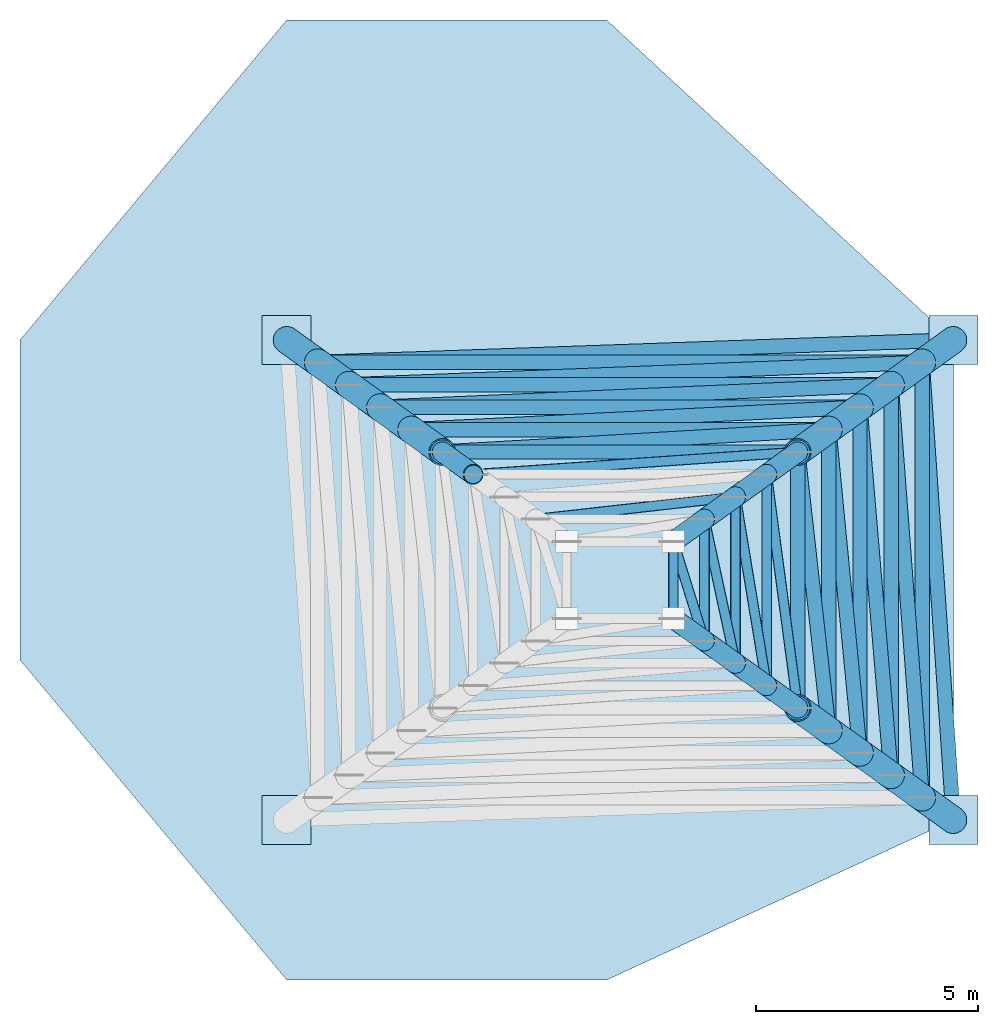
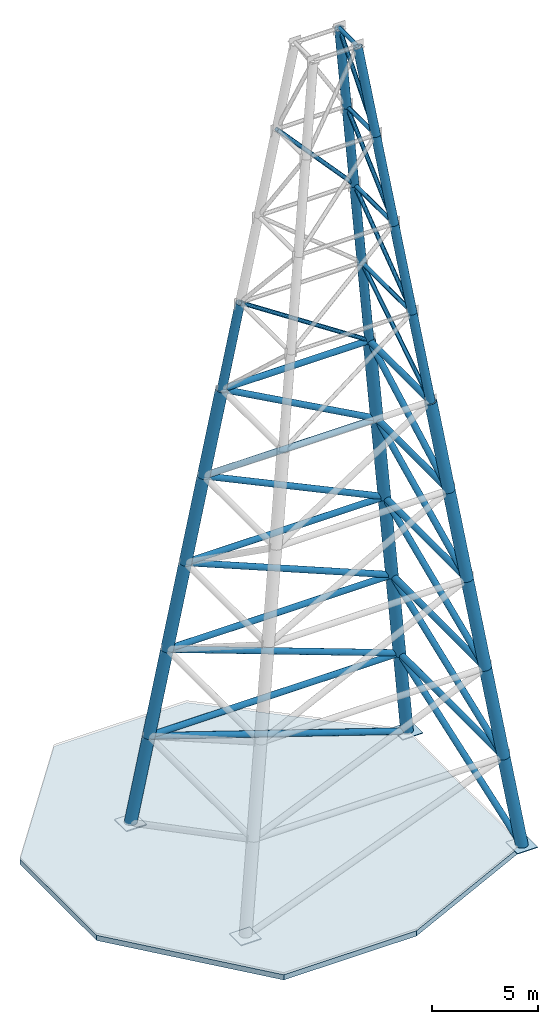
# One storey, part 2 of 3: 54 members, 4 plates, 1 slab.
"""IFC4 building model written with IfcOpenShell, lengths in metres."""

import ifcopenshell
import ifcopenshell.guid

model = None  # the IFC model being written
_history = None  # IfcOwnerHistory: only IFC2X3 demands one
_inside = {}  # id of a spatial element -> (the spatial element, [elements in it])
_under = {}  # id of a project, library or spatial element -> (it, [spatial elements below it])
_declared = {}  # id of a project -> (the project, [libraries it declares])
_typed = {}  # id of a type object -> (the type object, [elements of that type])
_made_of = {}  # id of a material, layer set ... -> (it, [elements and type objects made of it])


def new_model(schema):
    """Start an empty IFC model of exactly this schema.

    Asked for "IFC4X3", IfcOpenShell would pick the latest addendum, in which some entities
    have other attributes; the version numbers below select the first issue.
    IFC2X3 requires an IfcOwnerHistory on every rooted entity: one is made here for all.
    """
    global model, _history
    if schema == "IFC4X3":
        model = ifcopenshell.file(schema_version=(4, 3, 0, 0))
    else:
        model = ifcopenshell.file(schema=schema)
    _inside.clear()
    _under.clear()
    _declared.clear()
    _typed.clear()
    _made_of.clear()
    _history = None
    if model.schema == "IFC2X3":
        org = make("IfcOrganization", Name="unknown")
        user = make(
            "IfcPersonAndOrganization",
            ThePerson=make("IfcPerson", FamilyName="unknown"),
            TheOrganization=org,
        )
        app = make(
            "IfcApplication",
            ApplicationDeveloper=org,
            Version="unknown",
            ApplicationFullName="unknown",
            ApplicationIdentifier="unknown",
        )
        _history = make(
            "IfcOwnerHistory",
            OwningUser=user,
            OwningApplication=app,
            ChangeAction="ADDED",
            CreationDate=0,
        )
    return model


def make(cls, **values):
    """One entity of the class cls with the attributes given. An attribute that is None is left unset."""
    return model.create_entity(
        cls, **{name: value for name, value in values.items() if value is not None}
    )


def rooted(cls, **values):
    """An entity with a GlobalId (a new one), such as an element, a storey or a relation."""
    return make(cls, GlobalId=ifcopenshell.guid.new(), OwnerHistory=_history, **values)


def si_unit(unit_type, name, prefix=None):
    """IfcSIUnit, for example si_unit("LENGTHUNIT", "METRE", prefix="MILLI")."""
    return make("IfcSIUnit", UnitType=unit_type, Prefix=prefix, Name=name)


def derived_unit(unit_type, elements):
    """IfcDerivedUnit: a product of units, each with its exponent."""
    return make(
        "IfcDerivedUnit",
        Elements=[
            make("IfcDerivedUnitElement", Unit=unit, Exponent=power)
            for unit, power in elements
        ],
        UnitType=unit_type,
    )


def assignment(units):
    """IfcUnitAssignment: the units of a project."""
    return None if units is None else make("IfcUnitAssignment", Units=units)


def point(xyz):
    """IfcCartesianPoint."""
    return None if xyz is None else make("IfcCartesianPoint", Coordinates=xyz)


def direction(xyz):
    """IfcDirection."""
    return None if xyz is None else make("IfcDirection", DirectionRatios=xyz)


def frame(location, z_axis=None, x_axis=None):
    """IfcAxis2Placement3D, a coordinate frame: its origin and axes. An axis left out is left unset."""
    return make(
        "IfcAxis2Placement3D",
        Location=point(location),
        Axis=direction(z_axis),
        RefDirection=direction(x_axis),
    )


def frame_2d(location, x_axis=None):
    """IfcAxis2Placement2D, a coordinate frame in the plane: its origin and x axis."""
    return make(
        "IfcAxis2Placement2D", Location=point(location), RefDirection=direction(x_axis)
    )


def origin():
    """The frame at (0, 0, 0) with its axes left unset."""
    return frame((0.0, 0.0, 0.0))


def origin_2d():
    """The frame at (0, 0) in the plane with its x axis left unset."""
    return frame_2d((0.0, 0.0))


def place(relative_to, where):
    """IfcLocalPlacement: puts the frame where relative to a parent placement (None: the world)."""
    return make(
        "IfcLocalPlacement", PlacementRelTo=relative_to, RelativePlacement=where
    )


def context(
    kind, dimensions, precision=None, world=None, true_north=None, identifier=None
):
    """IfcGeometricRepresentationContext, for example the 3D "Model" context."""
    return make(
        "IfcGeometricRepresentationContext",
        ContextIdentifier=identifier,
        ContextType=kind,
        CoordinateSpaceDimension=dimensions,
        Precision=precision,
        WorldCoordinateSystem=world,
        TrueNorth=true_north,
    )


def subcontext(parent, identifier, kind, view, scale=None):
    """IfcGeometricRepresentationSubContext, for example "Body" below "Model"."""
    return make(
        "IfcGeometricRepresentationSubContext",
        ContextIdentifier=identifier,
        ContextType=kind,
        ParentContext=parent,
        TargetScale=scale,
        TargetView=view,
    )


def project(units=None, contexts=None):
    """IfcProject with its units and contexts."""
    return rooted(
        "IfcProject",
        Name="project",
        RepresentationContexts=contexts,
        UnitsInContext=assignment(units),
    )


def spatial(cls, under=None, at=None, **own):
    """A site, building, storey or space (cls), placed at a placement, below another one or the project."""
    s = rooted(cls, ObjectPlacement=at, **own)
    if under is not None:
        _under.setdefault(under.id(), (under, []))[1].append(s)
    return s


def polyline(points):
    """IfcPolyline through the points."""
    return make("IfcPolyline", Points=[point(p) for p in points])


def profile(cls, at=None, kind="AREA", **sizes):
    """A parametric profile (cls). Its sizes go by their IFC names, for example OverallWidth=200.0."""
    return make(cls, ProfileType=kind, Position=at, **sizes)


def rectangle(**sizes):
    """IfcRectangleProfileDef."""
    return profile("IfcRectangleProfileDef", **sizes)


def hollow_circle(**sizes):
    """IfcCircleHollowProfileDef."""
    return profile("IfcCircleHollowProfileDef", **sizes)


def outline(outer, holes=None, kind="AREA"):
    """IfcArbitraryClosedProfileDef: a profile drawn as a closed curve; with holes, ...WithVoids."""
    if holes is None:
        return make("IfcArbitraryClosedProfileDef", ProfileType=kind, OuterCurve=outer)
    return make(
        "IfcArbitraryProfileDefWithVoids",
        ProfileType=kind,
        OuterCurve=outer,
        InnerCurves=holes,
    )


def extrude(swept, where, along, depth):
    """IfcExtrudedAreaSolid: the profile swept, set in the frame where, extruded along a direction by depth."""
    return make(
        "IfcExtrudedAreaSolid",
        SweptArea=swept,
        Position=where,
        ExtrudedDirection=direction(along),
        Depth=depth,
    )


def shape(context_of_items, identifier, shape_type, items):
    """IfcShapeRepresentation: the items that make up one representation, for example the "Body"."""
    return make(
        "IfcShapeRepresentation",
        ContextOfItems=context_of_items,
        RepresentationIdentifier=identifier,
        RepresentationType=shape_type,
        Items=items,
    )


def source(mapping_origin, context_of_items, identifier, shape_type, items):
    """IfcRepresentationMap: a shape defined once, which mapped items show again and again."""
    return make(
        "IfcRepresentationMap",
        MappingOrigin=mapping_origin,
        MappedRepresentation=shape(context_of_items, identifier, shape_type, items),
    )


def transform(
    local_origin,
    x_axis=None,
    y_axis=None,
    z_axis=None,
    scale=None,
    scale2=None,
    scale3=None,
    uniform=True,
):
    """IfcCartesianTransformationOperator3D, or its non-uniform kind. x_axis, y_axis, z_axis: its Axis1, 2, 3."""
    if uniform:
        return make(
            "IfcCartesianTransformationOperator3D",
            Axis1=direction(x_axis),
            Axis2=direction(y_axis),
            LocalOrigin=point(local_origin),
            Scale=scale,
            Axis3=direction(z_axis),
        )
    return make(
        "IfcCartesianTransformationOperator3DnonUniform",
        Axis1=direction(x_axis),
        Axis2=direction(y_axis),
        LocalOrigin=point(local_origin),
        Scale=scale,
        Axis3=direction(z_axis),
        Scale2=scale2,
        Scale3=scale3,
    )


def mapped(mapping_source, mapping_target):
    """IfcMappedItem: shows the shape of a source again, moved by a transform."""
    return make(
        "IfcMappedItem", MappingSource=mapping_source, MappingTarget=mapping_target
    )


def material(Name=None, Category=None):
    """IfcMaterial."""
    return make("IfcMaterial", Name=Name, Category=Category)


def layer(
    of_material, thickness, ventilated=None, Name=None, Category=None, Priority=None
):
    """IfcMaterialLayer: one layer of a wall or slab, of a material (None: an air gap)."""
    return make(
        "IfcMaterialLayer",
        Material=of_material,
        LayerThickness=thickness,
        IsVentilated=ventilated,
        Name=Name,
        Category=Category,
        Priority=Priority,
    )


def layer_set(layers, Name=None):
    """IfcMaterialLayerSet."""
    return make("IfcMaterialLayerSet", MaterialLayers=layers, LayerSetName=Name)


def material_profile(
    of_material, cross_section, Name=None, Category=None, Priority=None
):
    """IfcMaterialProfile: a cross section and its material."""
    return make(
        "IfcMaterialProfile",
        Name=Name,
        Material=of_material,
        Profile=cross_section,
        Priority=Priority,
        Category=Category,
    )


def profile_set(profiles, Name=None, composite=None):
    """IfcMaterialProfileSet."""
    return make(
        "IfcMaterialProfileSet",
        Name=Name,
        MaterialProfiles=profiles,
        CompositeProfile=composite,
    )


def made_of(thing, what):
    """Note that an element or type object is made of a material, layer set ...; save() writes the relation."""
    if what is not None:
        _made_of.setdefault(what.id(), (what, []))[1].append(thing)
    return thing


def type_object(cls, material=None, **own):
    """A type object (cls), such as IfcWallType, which elements share."""
    return made_of(rooted(cls, **own), material)


def type_shapes(of_type, sources):
    """Give a type object the sources (RepresentationMaps) that its elements show as mapped items."""
    of_type.RepresentationMaps = sources


def element(
    cls,
    number,
    at=None,
    inside=None,
    cuts=None,
    type_object=None,
    material=None,
    context=None,
    identifier="Body",
    shape_type=None,
    held_by="IfcProductDefinitionShape",
    body=None,
    shapes=None,
    **own,
):
    """One element of the class cls, such as IfcWall. Its Tag is "e" and its number.

    at: its placement. inside: the storey or other place that contains it. cuts: it is an
    opening in that element (IfcRelVoidsElement). A single representation is given by context,
    identifier, shape_type and body (its items); several are given by shapes. held_by: the class
    of the entity that holds the representations. save() writes the other relations.
    """
    e = rooted(cls, Tag="e%d" % number, ObjectPlacement=at, **own)
    if body is not None:
        shapes = [shape(context, identifier, shape_type, body)]
    if shapes is not None:
        e.Representation = make(held_by, Representations=shapes)
    if inside is not None:
        _inside.setdefault(inside.id(), (inside, []))[1].append(e)
    if cuts is not None:
        rooted(
            "IfcRelVoidsElement", RelatingBuildingElement=cuts, RelatedOpeningElement=e
        )
    if type_object is not None:
        _typed.setdefault(type_object.id(), (type_object, []))[1].append(e)
    return made_of(e, material)


def aggregate(whole, parts):
    """IfcRelAggregates: a whole, such as a stair, and the parts it consists of."""
    return rooted("IfcRelAggregates", RelatingObject=whole, RelatedObjects=parts)


def save(model, path):
    """Write the relations noted so far, then the file.

    IfcRelAggregates (storeys below a building ...), IfcRelContainedInSpatialStructure (elements
    in a storey), IfcRelDefinesByType, IfcRelAssociatesMaterial and IfcRelDeclares: one each for
    every whole, place, type object, material and project.
    """
    for whole, parts in _under.values():
        aggregate(whole, parts)
    for where, things in _inside.values():
        rooted(
            "IfcRelContainedInSpatialStructure",
            RelatedElements=things,
            RelatingStructure=where,
        )
    for kind, things in _typed.values():
        rooted("IfcRelDefinesByType", RelatedObjects=things, RelatingType=kind)
    for what, things in _made_of.values():
        rooted("IfcRelAssociatesMaterial", RelatedObjects=things, RelatingMaterial=what)
    for by, libraries in _declared.values():
        rooted("IfcRelDeclares", RelatingContext=by, RelatedDefinitions=libraries)
    model.write(path)


model = new_model("IFC4")

# Units and contexts
model_context = context("Model", 3, precision=1e-05, world=origin(), true_north=direction((0.0, 1.0)))
body_context = subcontext(model_context, "Body", "Model", "MODEL_VIEW")
ifc_project = project(units=[si_unit("LENGTHUNIT", "METRE"), si_unit("AREAUNIT", "SQUARE_METRE"), si_unit("VOLUMEUNIT", "CUBIC_METRE"), si_unit("PLANEANGLEUNIT", "RADIAN"), si_unit("MASSUNIT", "GRAM", prefix="KILO"), si_unit("THERMODYNAMICTEMPERATUREUNIT", "KELVIN"), si_unit("POWERUNIT", "WATT"), derived_unit("THERMALTRANSMITTANCEUNIT", [(si_unit("POWERUNIT", "WATT"), 1), (si_unit("AREAUNIT", "SQUARE_METRE"), -1), (si_unit("THERMODYNAMICTEMPERATUREUNIT", "KELVIN"), -1)])], contexts=[model_context])

# Site, building, storey
site_placement = place(None, origin())
site = spatial("IfcSite", under=ifc_project, at=site_placement, CompositionType="ELEMENT")
building_placement = place(site_placement, origin())
building = spatial("IfcBuilding", under=site, at=building_placement, Name="Zahravan Archway Hotel and Residences", CompositionType="ELEMENT")
storey_placement = place(building_placement, frame((0.0, 0.0, 308.699951171875)))
storey = spatial("IfcBuildingStorey", under=building, at=storey_placement, Name="RF", CompositionType="ELEMENT", Elevation=308.699951171875)

# Members
ifc_material_1 = material(Name="Structural Steel S460M", Category="steel")
ifc_material_profile_1 = material_profile(ifc_material_1, hollow_circle(Radius=0.304931640625, WallThickness=0.030029296875, at=origin_2d()), Name="CHS 610x30", Category="steel")
ifc_profile_set_1 = profile_set([ifc_material_profile_1], Name="Structural Steel S460M")
member_type_1 = type_object("IfcMemberType", Name="MEM-MAST-LEG610", PredefinedType="CHORD", material=ifc_profile_set_1)
shared_shape_1 = source(origin(), body_context, "Body", "SweptSolid", [
    extrude(hollow_circle(Radius=0.304931640625, WallThickness=0.030029296875, at=origin_2d()), origin(), (0.0, 0.0, 1.0), 5.106689453125),
])
type_shapes(member_type_1, [shared_shape_1])
for number, where, z_axis, x_axis, name in (
    (1, (49.800048828125, 3.60009765625, 0.0), (-0.137062477103, 0.09867350985, 0.985635539043), (-0.584259982328, -0.811566554911, 0.0), "MAST Corner Leg Tier 1-2"),
    (2, (49.800048828125, 14.39990234375, 0.0), (-0.137062477103, -0.09867350985, 0.985635539043), (0.584259982328, -0.811566554911, 0.0), "MAST Corner Leg Tier 1-3"),
    (3, (34.800048828125, 14.39990234375, 0.0), (0.137062477103, -0.09867350985, 0.985635539043), (0.584259982328, 0.811566554911, 0.0), "MAST Corner Leg Tier 1-4"),
    (4, (49.10009765625, 4.10400390625, 5.033447265625), (-0.137115846307, 0.098677512823, 0.985627715293), (-0.584125782237, -0.811663150899, 0.0), "MAST Corner Leg Tier 2-2"),
    (5, (49.10009765625, 13.89599609375, 5.033447265625), (-0.137115846307, -0.098677512823, 0.985627715293), (0.584125782237, -0.811663150899, 0.0), "MAST Corner Leg Tier 2-3"),
    (6, (36.89990234375, 12.887939453125, 15.10009765625), (0.137115846307, -0.098677512823, 0.985627715293), (0.584125782237, 0.811663150899, 0.0), "MAST Corner Leg Tier 4-4"),
):
    element("IfcMember", number, at=place(storey_placement, frame(where, z_axis=z_axis, x_axis=x_axis)), inside=storey, type_object=member_type_1, Name=name, PredefinedType="CHORD", context=body_context, shape_type="MappedRepresentation", body=[
        mapped(shared_shape_1, transform((0.0, 0.0, 0.0), scale=1.0)),
    ])
ifc_material_profile_2 = material_profile(ifc_material_1, hollow_circle(Radius=0.161865234375, WallThickness=0.01611328125, at=origin_2d()), Name="CHS 323.9x16", Category="steel")
ifc_profile_set_2 = profile_set([ifc_material_profile_2], Name="Structural Steel S460M")
member_type_2 = type_object("IfcMemberType", Name="MEM-MAST-BRC323", PredefinedType="BRACE", material=ifc_profile_set_2)
shared_shape_2 = source(origin(), body_context, "Body", "SweptSolid", [
    extrude(hollow_circle(Radius=0.161865234375, WallThickness=0.01611328125, at=origin_2d()), origin(), (0.0, 0.0, 1.0), 13.60009765625),
])
type_shapes(member_type_2, [shared_shape_2])
member_1_placement = place(storey_placement, frame((49.10009765625, 13.89599609375, 5.033447265625), z_axis=(-1.0, 0.0, 0.0), x_axis=(0.0, -1.0, 0.0)))
element("IfcMember", 7, at=member_1_placement, inside=storey, type_object=member_type_2, Name="MAST Horizontal Girt Tier 1-3", PredefinedType="BRACE", context=body_context, shape_type="MappedRepresentation", body=[
    mapped(shared_shape_2, transform((0.0, 0.0, 0.0), scale=1.0)),
])
shared_shape_3 = source(origin(), body_context, "Body", "SweptSolid", [
    extrude(hollow_circle(Radius=0.161865234375, WallThickness=0.01611328125, at=origin_2d()), origin(), (0.0, 0.0, 1.0), 15.16845703125),
])
member_2_placement = place(storey_placement, frame((49.800048828125, 14.39990234375, 0.0), z_axis=(-0.942751490667, -0.033220751485, 0.331837322368), x_axis=(0.035216221379, -0.9993797165, 0.0)))
element("IfcMember", 8, at=member_2_placement, inside=storey, type_object=member_type_2, Name="MAST Lattice Diagonal Tier 1-3", PredefinedType="BRACE", context=body_context, shape_type="MappedRepresentation", body=[
    mapped(shared_shape_3, transform((0.0, 0.0, 0.0), scale=1.0)),
])
shared_shape_4 = source(origin(), body_context, "Body", "SweptSolid", [
    extrude(hollow_circle(Radius=0.161865234375, WallThickness=0.01611328125, at=origin_2d()), origin(), (0.0, 0.0, 1.0), 9.7919921875),
])
member_3_placement = place(storey_placement, frame((49.10009765625, 4.10400390625, 5.033447265625), z_axis=(0.0, 1.0, 0.0), x_axis=(-1.0, 0.0, 0.0)))
element("IfcMember", 9, at=member_3_placement, inside=storey, type_object=member_type_2, Name="MAST Horizontal Girt Tier 1-2", PredefinedType="BRACE", context=body_context, shape_type="MappedRepresentation", body=[
    mapped(shared_shape_4, transform((0.0, 0.0, 0.0), scale=1.0)),
])
shared_shape_5 = source(origin(), body_context, "Body", "SweptSolid", [
    extrude(hollow_circle(Radius=0.161865234375, WallThickness=0.01611328125, at=origin_2d()), origin(), (0.0, 0.0, 1.0), 11.481689453125),
])
member_4_placement = place(storey_placement, frame((49.800048828125, 3.60009765625, 0.0), z_axis=(-0.060961956018, 0.896716989602, 0.438385994846), x_axis=(-0.997697101633, -0.067826937076, 0.0)))
element("IfcMember", 10, at=member_4_placement, inside=storey, type_object=member_type_2, Name="MAST Lattice Diagonal Tier 1-2", PredefinedType="BRACE", context=body_context, shape_type="MappedRepresentation", body=[
    mapped(shared_shape_5, transform((0.0, 0.0, 0.0), scale=1.0)),
])
shared_shape_6 = source(origin(), body_context, "Body", "SweptSolid", [
    extrude(hollow_circle(Radius=0.304931640625, WallThickness=0.030029296875, at=origin_2d()), origin(), (0.0, 0.0, 1.0), 5.1064453125),
])
for number, where, z_axis, x_axis, name in (
    (11, (35.5, 13.89599609375, 5.033447265625), (0.137068935816, -0.098678159583, 0.985634175369), (0.584259982328, 0.811566554911, 0.0), "MAST Corner Leg Tier 2-4"),
    (12, (47.699951171875, 5.112060546875, 15.10009765625), (-0.137068935816, 0.098678159583, 0.985634175369), (-0.584259982328, -0.811566554911, 0.0), "MAST Corner Leg Tier 4-2"),
    (13, (47.699951171875, 12.887939453125, 15.10009765625), (-0.137068935816, -0.098678159583, 0.985634175369), (0.584259982328, -0.811566554911, 0.0), "MAST Corner Leg Tier 4-3"),
):
    element("IfcMember", number, at=place(storey_placement, frame(where, z_axis=z_axis, x_axis=x_axis)), inside=storey, type_object=member_type_1, Name=name, PredefinedType="CHORD", context=body_context, shape_type="MappedRepresentation", body=[
        mapped(shared_shape_6, transform((0.0, 0.0, 0.0), scale=1.0)),
    ])
shared_shape_7 = source(origin(), body_context, "Body", "SweptSolid", [
    extrude(hollow_circle(Radius=0.161865234375, WallThickness=0.01611328125, at=origin_2d()), origin(), (0.0, 0.0, 1.0), 12.199951171875),
])
member_5_placement = place(storey_placement, frame((48.39990234375, 13.39208984375, 10.066650390625), z_axis=(-1.0, 0.0, 0.0), x_axis=(0.0, -1.0, 0.0)))
element("IfcMember", 14, at=member_5_placement, inside=storey, type_object=member_type_2, Name="MAST Horizontal Girt Tier 2-3", PredefinedType="BRACE", context=body_context, shape_type="MappedRepresentation", body=[
    mapped(shared_shape_7, transform((0.0, 0.0, 0.0), scale=1.0)),
])
shared_shape_8 = source(origin(), body_context, "Body", "SweptSolid", [
    extrude(hollow_circle(Radius=0.161865234375, WallThickness=0.01611328125, at=origin_2d()), origin(), (0.0, 0.0, 1.0), 8.7841796875),
])
member_6_placement = place(storey_placement, frame((48.39990234375, 4.60791015625, 10.066650390625), z_axis=(0.0, 1.0, 0.0), x_axis=(-1.0, 0.0, 0.0)))
element("IfcMember", 15, at=member_6_placement, inside=storey, type_object=member_type_2, Name="MAST Horizontal Girt Tier 2-2", PredefinedType="BRACE", context=body_context, shape_type="MappedRepresentation", body=[
    mapped(shared_shape_8, transform((0.0, 0.0, 0.0), scale=1.0)),
])
shared_shape_9 = source(origin(), body_context, "Body", "SweptSolid", [
    extrude(hollow_circle(Radius=0.161865234375, WallThickness=0.01611328125, at=origin_2d()), origin(), (0.0, 0.0, 1.0), 10.58740234375),
])
member_7_placement = place(storey_placement, frame((49.10009765625, 4.10400390625, 5.033447265625), z_axis=(-0.066135096498, 0.877281593848, 0.475397890305), x_axis=(-0.997170500317, -0.075173088921, 0.0)))
element("IfcMember", 16, at=member_7_placement, inside=storey, type_object=member_type_2, Name="MAST Lattice Diagonal Tier 2-2", PredefinedType="BRACE", context=body_context, shape_type="MappedRepresentation", body=[
    mapped(shared_shape_9, transform((0.0, 0.0, 0.0), scale=1.0)),
])
shared_shape_10 = source(origin(), body_context, "Body", "SweptSolid", [
    extrude(hollow_circle(Radius=0.161865234375, WallThickness=0.01611328125, at=origin_2d()), origin(), (0.0, 0.0, 1.0), 13.8564453125),
])
member_8_placement = place(storey_placement, frame((49.10009765625, 13.89599609375, 5.033447265625), z_axis=(-0.930985857413, -0.036366222103, 0.363239357982), x_axis=(0.039032289189, -0.99923794984, 0.0)))
element("IfcMember", 17, at=member_8_placement, inside=storey, type_object=member_type_2, Name="MAST Lattice Diagonal Tier 2-3", PredefinedType="BRACE", context=body_context, shape_type="MappedRepresentation", body=[
    mapped(shared_shape_10, transform((0.0, 0.0, 0.0), scale=1.0)),
])
shared_shape_11 = source(origin(), body_context, "Body", "SweptSolid", [
    extrude(hollow_circle(Radius=0.304931640625, WallThickness=0.030029296875, at=origin_2d()), origin(), (0.0, 0.0, 1.0), 5.10693359375),
])
for number, where, z_axis, x_axis, name in (
    (18, (48.39990234375, 4.60791015625, 10.066650390625), (-0.137061830389, 0.098720850978, 0.985630888433), (-0.584446378501, -0.811432332766, 0.0), "MAST Corner Leg Tier 3-2"),
    (19, (48.39990234375, 13.39208984375, 10.066650390625), (-0.137061830389, -0.098720850978, 0.985630888433), (0.584446378501, -0.811432332766, 0.0), "MAST Corner Leg Tier 3-3"),
    (20, (36.199951171875, 13.39208984375, 10.066650390625), (0.137061830389, -0.098720850978, 0.985630888433), (0.584446378501, 0.811432332766, 0.0), "MAST Corner Leg Tier 3-4"),
    (21, (47.0, 5.615966796875, 20.13330078125), (-0.137061830389, 0.098720850978, 0.985630888433), (-0.584446378501, -0.811432332766, 0.0), "MAST Corner Leg Tier 5-2"),
    (22, (47.0, 12.384033203125, 20.13330078125), (-0.137061830389, -0.098720850978, 0.985630888433), (0.584446378501, -0.811432332766, 0.0), "MAST Corner Leg Tier 5-3"),
    (23, (37.60009765625, 12.384033203125, 20.13330078125), (0.137061830389, -0.098720850978, 0.985630888433), (0.584446378501, 0.811432332766, 0.0), "MAST Corner Leg Tier 5-4"),
):
    element("IfcMember", number, at=place(storey_placement, frame(where, z_axis=z_axis, x_axis=x_axis)), inside=storey, type_object=member_type_1, Name=name, PredefinedType="CHORD", context=body_context, shape_type="MappedRepresentation", body=[
        mapped(shared_shape_11, transform((0.0, 0.0, 0.0), scale=1.0)),
    ])
shared_shape_12 = source(origin(), body_context, "Body", "SweptSolid", [
    extrude(hollow_circle(Radius=0.161865234375, WallThickness=0.01611328125, at=origin_2d()), origin(), (0.0, 0.0, 1.0), 10.800048828125),
])
member_9_placement = place(storey_placement, frame((47.699951171875, 12.887939453125, 15.10009765625), z_axis=(-1.0, 0.0, 0.0), x_axis=(0.0, -1.0, 0.0)))
element("IfcMember", 24, at=member_9_placement, inside=storey, type_object=member_type_2, Name="MAST Horizontal Girt Tier 3-3", PredefinedType="BRACE", context=body_context, shape_type="MappedRepresentation", body=[
    mapped(shared_shape_12, transform((0.0, 0.0, 0.0), scale=1.0)),
])
shared_shape_13 = source(origin(), body_context, "Body", "SweptSolid", [
    extrude(hollow_circle(Radius=0.161865234375, WallThickness=0.01611328125, at=origin_2d()), origin(), (0.0, 0.0, 1.0), 12.5634765625),
])
member_10_placement = place(storey_placement, frame((48.39990234375, 13.39208984375, 10.066650390625), z_axis=(-0.915355163645, -0.040128405505, 0.400642777872), x_axis=(0.043797098388, -0.999040446715, 0.0)))
element("IfcMember", 25, at=member_10_placement, inside=storey, type_object=member_type_2, Name="MAST Lattice Diagonal Tier 3-3", PredefinedType="BRACE", context=body_context, shape_type="MappedRepresentation", body=[
    mapped(shared_shape_13, transform((0.0, 0.0, 0.0), scale=1.0)),
])
shared_shape_14 = source(origin(), body_context, "Body", "SweptSolid", [
    extrude(hollow_circle(Radius=0.161865234375, WallThickness=0.01611328125, at=origin_2d()), origin(), (0.0, 0.0, 1.0), 7.77587890625),
])
member_11_placement = place(storey_placement, frame((47.699951171875, 5.112060546875, 15.10009765625), z_axis=(0.0, 1.0, 0.0), x_axis=(-1.0, 0.0, 0.0)))
element("IfcMember", 26, at=member_11_placement, inside=storey, type_object=member_type_2, Name="MAST Horizontal Girt Tier 3-2", PredefinedType="BRACE", context=body_context, shape_type="MappedRepresentation", body=[
    mapped(shared_shape_14, transform((0.0, 0.0, 0.0), scale=1.0)),
])
shared_shape_15 = source(origin(), body_context, "Body", "SweptSolid", [
    extrude(hollow_circle(Radius=0.161865234375, WallThickness=0.01611328125, at=origin_2d()), origin(), (0.0, 0.0, 1.0), 9.715087890625),
])
member_12_placement = place(storey_placement, frame((48.39990234375, 4.60791015625, 10.066650390625), z_axis=(-0.072047284469, 0.852278916211, 0.518102149949), x_axis=(-0.996445965096, -0.084234426712, 0.0)))
element("IfcMember", 27, at=member_12_placement, inside=storey, type_object=member_type_2, Name="MAST Lattice Diagonal Tier 3-2", PredefinedType="BRACE", context=body_context, shape_type="MappedRepresentation", body=[
    mapped(shared_shape_15, transform((0.0, 0.0, 0.0), scale=1.0)),
])
shared_shape_16 = source(origin(), body_context, "Body", "SweptSolid", [
    extrude(hollow_circle(Radius=0.161865234375, WallThickness=0.01611328125, at=origin_2d()), origin(), (0.0, 0.0, 1.0), 9.39990234375),
])
member_13_placement = place(storey_placement, frame((47.0, 12.384033203125, 20.13330078125), z_axis=(-1.0, 0.0, 0.0), x_axis=(0.0, -1.0, 0.0)))
element("IfcMember", 28, at=member_13_placement, inside=storey, type_object=member_type_2, Name="MAST Horizontal Girt Tier 4-3", PredefinedType="BRACE", context=body_context, shape_type="MappedRepresentation", body=[
    mapped(shared_shape_16, transform((0.0, 0.0, 0.0), scale=1.0)),
])
shared_shape_17 = source(origin(), body_context, "Body", "SweptSolid", [
    extrude(hollow_circle(Radius=0.161865234375, WallThickness=0.01611328125, at=origin_2d()), origin(), (0.0, 0.0, 1.0), 6.76806640625),
])
member_14_placement = place(storey_placement, frame((47.0, 5.615966796875, 20.13330078125), z_axis=(0.0, 1.0, 0.0), x_axis=(-1.0, 0.0, 0.0)))
element("IfcMember", 29, at=member_14_placement, inside=storey, type_object=member_type_2, Name="MAST Horizontal Girt Tier 4-2", PredefinedType="BRACE", context=body_context, shape_type="MappedRepresentation", body=[
    mapped(shared_shape_17, transform((0.0, 0.0, 0.0), scale=1.0)),
])
shared_shape_18 = source(origin(), body_context, "Body", "SweptSolid", [
    extrude(hollow_circle(Radius=0.161865234375, WallThickness=0.01611328125, at=origin_2d()), origin(), (0.0, 0.0, 1.0), 8.87158203125),
])
member_15_placement = place(storey_placement, frame((47.699951171875, 5.112060546875, 15.10009765625), z_axis=(-0.078898281607, 0.819694529453, 0.56734111392), x_axis=(-0.995399595122, -0.095810469322, 0.0)))
element("IfcMember", 30, at=member_15_placement, inside=storey, type_object=member_type_2, Name="MAST Lattice Diagonal Tier 4-2", PredefinedType="BRACE", context=body_context, shape_type="MappedRepresentation", body=[
    mapped(shared_shape_18, transform((0.0, 0.0, 0.0), scale=1.0)),
])
shared_shape_19 = source(origin(), body_context, "Body", "SweptSolid", [
    extrude(hollow_circle(Radius=0.161865234375, WallThickness=0.01611328125, at=origin_2d()), origin(), (0.0, 0.0, 1.0), 11.295654296875),
])
member_16_placement = place(storey_placement, frame((47.699951171875, 12.887939453125, 15.10009765625), z_axis=(-0.894128184713, -0.044610229236, 0.44558356876), x_axis=(0.049830449738, -0.998757691474, 0.0)))
element("IfcMember", 31, at=member_16_placement, inside=storey, type_object=member_type_2, Name="MAST Lattice Diagonal Tier 4-3", PredefinedType="BRACE", context=body_context, shape_type="MappedRepresentation", body=[
    mapped(shared_shape_19, transform((0.0, 0.0, 0.0), scale=1.0)),
])
shared_shape_20 = source(origin(), body_context, "Body", "SweptSolid", [
    extrude(hollow_circle(Radius=0.161865234375, WallThickness=0.01611328125, at=origin_2d()), origin(), (0.0, 0.0, 1.0), 8.0),
])
member_17_placement = place(storey_placement, frame((46.300048828125, 11.8798828125, 25.166748046875), z_axis=(-1.0, 0.0, 0.0), x_axis=(0.0, -1.0, 0.0)))
element("IfcMember", 32, at=member_17_placement, inside=storey, type_object=member_type_2, Name="MAST Horizontal Girt Tier 5-3", PredefinedType="BRACE", context=body_context, shape_type="MappedRepresentation", body=[
    mapped(shared_shape_20, transform((0.0, 0.0, 0.0), scale=1.0)),
])
shared_shape_21 = source(origin(), body_context, "Body", "SweptSolid", [
    extrude(hollow_circle(Radius=0.161865234375, WallThickness=0.01611328125, at=origin_2d()), origin(), (0.0, 0.0, 1.0), 10.063720703125),
])
member_18_placement = place(storey_placement, frame((47.0, 12.384033203125, 20.13330078125), z_axis=(-0.864484691624, -0.050095717362, 0.500156612522), x_axis=(0.057851593259, -0.998325194091, 0.0)))
element("IfcMember", 33, at=member_18_placement, inside=storey, type_object=member_type_2, Name="MAST Lattice Diagonal Tier 5-3", PredefinedType="BRACE", context=body_context, shape_type="MappedRepresentation", body=[
    mapped(shared_shape_21, transform((0.0, 0.0, 0.0), scale=1.0)),
])
shared_shape_22 = source(origin(), body_context, "Body", "SweptSolid", [
    extrude(hollow_circle(Radius=0.161865234375, WallThickness=0.01611328125, at=origin_2d()), origin(), (0.0, 0.0, 1.0), 5.759765625),
])
member_19_placement = place(storey_placement, frame((46.300048828125, 6.1201171875, 25.166748046875), z_axis=(0.0, 1.0, 0.0), x_axis=(-1.0, 0.0, 0.0)))
element("IfcMember", 34, at=member_19_placement, inside=storey, type_object=member_type_2, Name="MAST Horizontal Girt Tier 5-2", PredefinedType="BRACE", context=body_context, shape_type="MappedRepresentation", body=[
    mapped(shared_shape_22, transform((0.0, 0.0, 0.0), scale=1.0)),
])
shared_shape_23 = source(origin(), body_context, "Body", "SweptSolid", [
    extrude(hollow_circle(Radius=0.161865234375, WallThickness=0.01611328125, at=origin_2d()), origin(), (0.0, 0.0, 1.0), 8.066162109375),
])
member_20_placement = place(storey_placement, frame((47.0, 5.615966796875, 20.13330078125), z_axis=(-0.086776770514, 0.776571887367, 0.624023954548), x_axis=(-0.993814574306, -0.111052203474, 0.0)))
element("IfcMember", 35, at=member_20_placement, inside=storey, type_object=member_type_2, Name="MAST Lattice Diagonal Tier 5-2", PredefinedType="BRACE", context=body_context, shape_type="MappedRepresentation", body=[
    mapped(shared_shape_23, transform((0.0, 0.0, 0.0), scale=1.0)),
])
ifc_material_profile_3 = material_profile(ifc_material_1, hollow_circle(Radius=0.228515625, WallThickness=0.02001953125, at=origin_2d()), Name="CHS 457x20", Category="steel")
ifc_profile_set_3 = profile_set([ifc_material_profile_3], Name="Structural Steel S460M")
member_type_3 = type_object("IfcMemberType", Name="MEM-MAST-LEG457", PredefinedType="CHORD", material=ifc_profile_set_3)
shared_shape_24 = source(origin(), body_context, "Body", "SweptSolid", [
    extrude(hollow_circle(Radius=0.228515625, WallThickness=0.02001953125, at=origin_2d()), origin(), (0.0, 0.0, 1.0), 5.1064453125),
])
type_shapes(member_type_3, [shared_shape_24])
for number, where, z_axis, x_axis, name in (
    (36, (46.300048828125, 6.1201171875, 25.166748046875), (-0.137068935816, 0.098678159583, 0.985634175369), (-0.584259982328, -0.811566554911, 0.0), "MAST Corner Leg Tier 6-2"),
    (37, (46.300048828125, 11.8798828125, 25.166748046875), (-0.137068935816, -0.098678159583, 0.985634175369), (0.584259982328, -0.811566554911, 0.0), "MAST Corner Leg Tier 6-3"),
    (38, (38.300048828125, 11.8798828125, 25.166748046875), (0.137068935816, -0.098678159583, 0.985634175369), (0.584259982328, 0.811566554911, 0.0), "MAST Corner Leg Tier 6-4"),
    (39, (44.199951171875, 7.632080078125, 40.266845703125), (-0.137068935816, 0.098678159583, 0.985634175369), (-0.584259982328, -0.811566554911, 0.0), "MAST Corner Leg Tier 9-2"),
    (40, (44.199951171875, 10.367919921875, 40.266845703125), (-0.137068935816, -0.098678159583, 0.985634175369), (0.584259982328, -0.811566554911, 0.0), "MAST Corner Leg Tier 9-3"),
):
    element("IfcMember", number, at=place(storey_placement, frame(where, z_axis=z_axis, x_axis=x_axis)), inside=storey, type_object=member_type_3, Name=name, PredefinedType="CHORD", context=body_context, shape_type="MappedRepresentation", body=[
        mapped(shared_shape_24, transform((0.0, 0.0, 0.0), scale=1.0)),
    ])
ifc_material_2 = material(Name="Structural Steel S355J2", Category="steel")
ifc_material_profile_4 = material_profile(ifc_material_2, hollow_circle(Radius=0.109619140625, WallThickness=0.012451171875, at=origin_2d()), Name="CHS 219.1x12.5", Category="steel")
ifc_profile_set_4 = profile_set([ifc_material_profile_4], Name="Structural Steel S355J2")
member_type_4 = type_object("IfcMemberType", Name="MEM-MAST-BRC219", PredefinedType="BRACE", material=ifc_profile_set_4)
shared_shape_25 = source(origin(), body_context, "Body", "SweptSolid", [
    extrude(hollow_circle(Radius=0.109619140625, WallThickness=0.012451171875, at=origin_2d()), origin(), (0.0, 0.0, 1.0), 8.88134765625),
])
member_21_placement = place(storey_placement, frame((46.300048828125, 11.8798828125, 25.166748046875), z_axis=(-0.821955788553, -0.056737792969, 0.566718187914), x_axis=(0.068863924028, -0.997626062193, 0.0)))
element("IfcMember", 41, at=member_21_placement, inside=storey, type_object=member_type_4, Name="MAST Lattice Diagonal Tier 6-3", PredefinedType="BRACE", context=body_context, shape_type="MappedRepresentation", body=[
    mapped(shared_shape_25, transform((0.0, 0.0, 0.0), scale=1.0)),
])
shared_shape_26 = source(origin(), body_context, "Body", "SweptSolid", [
    extrude(hollow_circle(Radius=0.109619140625, WallThickness=0.012451171875, at=origin_2d()), origin(), (0.0, 0.0, 1.0), 4.751953125),
])
member_22_placement = place(storey_placement, frame((45.60009765625, 6.6240234375, 30.199951171875), z_axis=(0.0, 1.0, 0.0), x_axis=(-1.0, 0.0, 0.0)))
element("IfcMember", 42, at=member_22_placement, inside=storey, type_object=member_type_4, Name="MAST Horizontal Girt Tier 6-2", PredefinedType="BRACE", context=body_context, shape_type="MappedRepresentation", body=[
    mapped(shared_shape_26, transform((0.0, 0.0, 0.0), scale=1.0)),
])
shared_shape_27 = source(origin(), body_context, "Body", "SweptSolid", [
    extrude(hollow_circle(Radius=0.109619140625, WallThickness=0.012451171875, at=origin_2d()), origin(), (0.0, 0.0, 1.0), 7.310791015625),
])
member_23_placement = place(storey_placement, frame((46.300048828125, 6.1201171875, 25.166748046875), z_axis=(-0.095742679622, 0.718921662681, 0.688465672512), x_axis=(-0.991248397702, -0.132009901348, 0.0)))
element("IfcMember", 43, at=member_23_placement, inside=storey, type_object=member_type_4, Name="MAST Lattice Diagonal Tier 6-2", PredefinedType="BRACE", context=body_context, shape_type="MappedRepresentation", body=[
    mapped(shared_shape_27, transform((0.0, 0.0, 0.0), scale=1.0)),
])
shared_shape_28 = source(origin(), body_context, "Body", "SweptSolid", [
    extrude(hollow_circle(Radius=0.228515625, WallThickness=0.02001953125, at=origin_2d()), origin(), (0.0, 0.0, 1.0), 5.10693359375),
])
for number, where, z_axis, x_axis, name in (
    (44, (45.60009765625, 6.6240234375, 30.199951171875), (-0.137109385468, 0.098672863182, 0.985629079567), (-0.584125782237, -0.811663150899, 0.0), "MAST Corner Leg Tier 7-2"),
    (45, (45.60009765625, 11.3759765625, 30.199951171875), (-0.137109385468, -0.098672863182, 0.985629079567), (0.584125782237, -0.811663150899, 0.0), "MAST Corner Leg Tier 7-3"),
    (46, (44.89990234375, 7.1279296875, 35.2333984375), (-0.137061830389, 0.098720850978, 0.985630888433), (-0.584446378501, -0.811432332766, 0.0), "MAST Corner Leg Tier 8-2"),
    (47, (44.89990234375, 10.8720703125, 35.2333984375), (-0.137061830389, -0.098720850978, 0.985630888433), (0.584446378501, -0.811432332766, 0.0), "MAST Corner Leg Tier 8-3"),
):
    element("IfcMember", number, at=place(storey_placement, frame(where, z_axis=z_axis, x_axis=x_axis)), inside=storey, type_object=member_type_3, Name=name, PredefinedType="CHORD", context=body_context, shape_type="MappedRepresentation", body=[
        mapped(shared_shape_28, transform((0.0, 0.0, 0.0), scale=1.0)),
    ])
shared_shape_29 = source(origin(), body_context, "Body", "SweptSolid", [
    extrude(hollow_circle(Radius=0.109619140625, WallThickness=0.012451171875, at=origin_2d()), origin(), (0.0, 0.0, 1.0), 3.744140625),
])
member_24_placement = place(storey_placement, frame((44.89990234375, 7.1279296875, 35.2333984375), z_axis=(0.0, 1.0, 0.0), x_axis=(-1.0, 0.0, 0.0)))
element("IfcMember", 48, at=member_24_placement, inside=storey, type_object=member_type_4, Name="MAST Horizontal Girt Tier 7-2", PredefinedType="BRACE", context=body_context, shape_type="MappedRepresentation", body=[
    mapped(shared_shape_29, transform((0.0, 0.0, 0.0), scale=1.0)),
])
shared_shape_30 = source(origin(), body_context, "Body", "SweptSolid", [
    extrude(hollow_circle(Radius=0.109619140625, WallThickness=0.012451171875, at=origin_2d()), origin(), (0.0, 0.0, 1.0), 6.62353515625),
])
member_25_placement = place(storey_placement, frame((45.60009765625, 6.6240234375, 30.199951171875), z_axis=(-0.105712570982, 0.641352418091, 0.759928896769), x_axis=(-0.986686602563, -0.162633171043, 0.0)))
element("IfcMember", 49, at=member_25_placement, inside=storey, type_object=member_type_4, Name="MAST Lattice Diagonal Tier 7-2", PredefinedType="BRACE", context=body_context, shape_type="MappedRepresentation", body=[
    mapped(shared_shape_30, transform((0.0, 0.0, 0.0), scale=1.0)),
])
shared_shape_31 = source(origin(), body_context, "Body", "SweptSolid", [
    extrude(hollow_circle(Radius=0.109619140625, WallThickness=0.012451171875, at=origin_2d()), origin(), (0.0, 0.0, 1.0), 6.7705078125),
])
member_26_placement = place(storey_placement, frame((44.89990234375, 10.8720703125, 35.2333984375), z_axis=(-0.664647462399, -0.074462728399, 0.743437322715), x_axis=(0.111336877289, -0.993782722609, 0.0)))
element("IfcMember", 50, at=member_26_placement, inside=storey, type_object=member_type_4, Name="MAST Lattice Diagonal Tier 8-3", PredefinedType="BRACE", context=body_context, shape_type="MappedRepresentation", body=[
    mapped(shared_shape_31, transform((0.0, 0.0, 0.0), scale=1.0)),
])
shared_shape_32 = source(origin(), body_context, "Body", "SweptSolid", [
    extrude(hollow_circle(Radius=0.109619140625, WallThickness=0.012451171875, at=origin_2d()), origin(), (0.0, 0.0, 1.0), 2.73583984375),
])
member_27_placement = place(storey_placement, frame((44.199951171875, 7.632080078125, 40.266845703125), z_axis=(0.0, 1.0, 0.0), x_axis=(-1.0, 0.0, 0.0)))
element("IfcMember", 51, at=member_27_placement, inside=storey, type_object=member_type_4, Name="MAST Horizontal Girt Tier 8-2", PredefinedType="BRACE", context=body_context, shape_type="MappedRepresentation", body=[
    mapped(shared_shape_32, transform((0.0, 0.0, 0.0), scale=1.0)),
])
shared_shape_33 = source(origin(), body_context, "Body", "SweptSolid", [
    extrude(hollow_circle(Radius=0.109619140625, WallThickness=0.012451171875, at=origin_2d()), origin(), (0.0, 0.0, 1.0), 6.02685546875),
])
member_28_placement = place(storey_placement, frame((44.89990234375, 7.1279296875, 35.2333984375), z_axis=(-0.116138585559, 0.537591618053, 0.835168893783), x_axis=(-0.977450746062, -0.211163536204, 0.0)))
element("IfcMember", 52, at=member_28_placement, inside=storey, type_object=member_type_4, Name="MAST Lattice Diagonal Tier 8-2", PredefinedType="BRACE", context=body_context, shape_type="MappedRepresentation", body=[
    mapped(shared_shape_33, transform((0.0, 0.0, 0.0), scale=1.0)),
])
shared_shape_34 = source(origin(), body_context, "Body", "SweptSolid", [
    extrude(hollow_circle(Radius=0.109619140625, WallThickness=0.012451171875, at=origin_2d()), origin(), (0.0, 0.0, 1.0), 1.72802734375),
])
member_29_placement = place(storey_placement, frame((43.5, 8.135986328125, 45.300048828125), z_axis=(0.0, 1.0, 0.0), x_axis=(-1.0, 0.0, 0.0)))
element("IfcMember", 53, at=member_29_placement, inside=storey, type_object=member_type_4, Name="MAST Horizontal Girt Tier 9-2", PredefinedType="BRACE", context=body_context, shape_type="MappedRepresentation", body=[
    mapped(shared_shape_34, transform((0.0, 0.0, 0.0), scale=1.0)),
])
shared_shape_35 = source(origin(), body_context, "Body", "SweptSolid", [
    extrude(hollow_circle(Radius=0.109619140625, WallThickness=0.012451171875, at=origin_2d()), origin(), (0.0, 0.0, 1.0), 5.55029296875),
])
member_30_placement = place(storey_placement, frame((44.199951171875, 7.632080078125, 40.266845703125), z_axis=(-0.126113043899, 0.402136535515, 0.906852637953), x_axis=(-0.954178630599, -0.299237599423, 0.0)))
element("IfcMember", 54, at=member_30_placement, inside=storey, type_object=member_type_4, Name="MAST Lattice Diagonal Tier 9-2", PredefinedType="BRACE", context=body_context, shape_type="MappedRepresentation", body=[
    mapped(shared_shape_35, transform((0.0, 0.0, 0.0), scale=1.0)),
])

# Slab
ifc_material_3 = material(Name="Concrete C50/60", Category="concrete")
ifc_layer_1 = layer(ifc_material_3, 0.300048828125, Name="Concrete C50/60", Category="concrete")
ifc_layer_set_1 = layer_set([ifc_layer_1], Name="Concrete C50/60")
slab_type = type_object("IfcSlabType", Name="SLB-ROOF-300", PredefinedType="ROOF", material=ifc_layer_set_1)
slab_placement = place(storey_placement, frame((0.0, 0.0, -0.300048828125)))
element("IfcSlab", 55, at=slab_placement, inside=storey, type_object=slab_type, Name="RF Roof Slab DRUM", PredefinedType="ROOF", context=body_context, shape_type="SweptSolid", body=[
    extrude(outline(polyline([(34.800048828125, 0.0), (42.0, 0.0), (49.800048828125, 3.60009765625), (49.800048828125, 14.39990234375), (42.0, 21.60009765625), (34.800048828125, 21.60009765625), (28.800048828125, 14.39990234375), (28.800048828125, 7.199951171875), (34.800048828125, 0.0)])), origin(), (0.0, 0.0, 1.0), 0.300048828125),
])

# Plates
ifc_layer_2 = layer(ifc_material_2, 0.0400390625, Name="Structural Steel S355J2", Category="steel")
ifc_layer_set_2 = layer_set([ifc_layer_2], Name="Structural Steel S355J2")
plate_type = type_object("IfcPlateType", Name="PLT-BASE-MP1", PredefinedType="SHEET", material=ifc_layer_set_2)
shared_shape_36 = source(origin(), body_context, "Body", "SweptSolid", [
    extrude(rectangle(XDim=1.10009765625, YDim=1.10009765625, at=origin_2d()), origin(), (0.0, 0.0, 1.0), 0.0400390625),
])
type_shapes(plate_type, [shared_shape_36])
for number, where, z_axis, x_axis, name in (
    (56, (34.800048828125, 3.60009765625, 0.0), (0.0, 0.0, 1.0), (1.0, 0.0, 0.0), "MAST Anchor Base Plate MP1-1"),
    (57, (49.800048828125, 3.60009765625, 0.0), (0.0, 0.0, 1.0), (1.0, 0.0, 0.0), "MAST Anchor Base Plate MP1-2"),
    (58, (49.800048828125, 14.39990234375, 0.0), (0.0, 0.0, 1.0), (1.0, 0.0, 0.0), "MAST Anchor Base Plate MP1-3"),
    (59, (34.800048828125, 14.39990234375, 0.0), (0.0, 0.0, 1.0), (1.0, 0.0, 0.0), "MAST Anchor Base Plate MP1-4"),
):
    element("IfcPlate", number, at=place(storey_placement, frame(where, z_axis=z_axis, x_axis=x_axis)), inside=storey, type_object=plate_type, Name=name, PredefinedType="SHEET", context=body_context, shape_type="MappedRepresentation", body=[
        mapped(shared_shape_36, transform((0.0, 0.0, 0.0), scale=1.0)),
    ])

save(model, "model.ifc")
